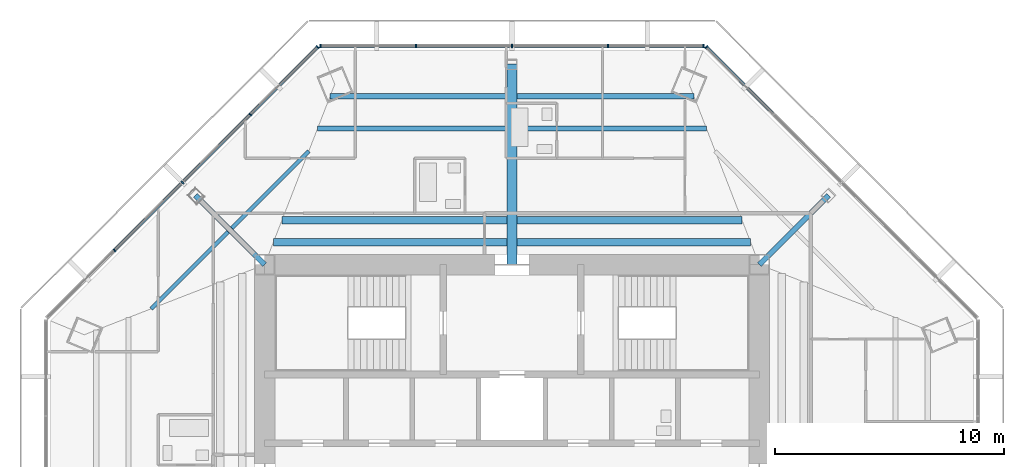
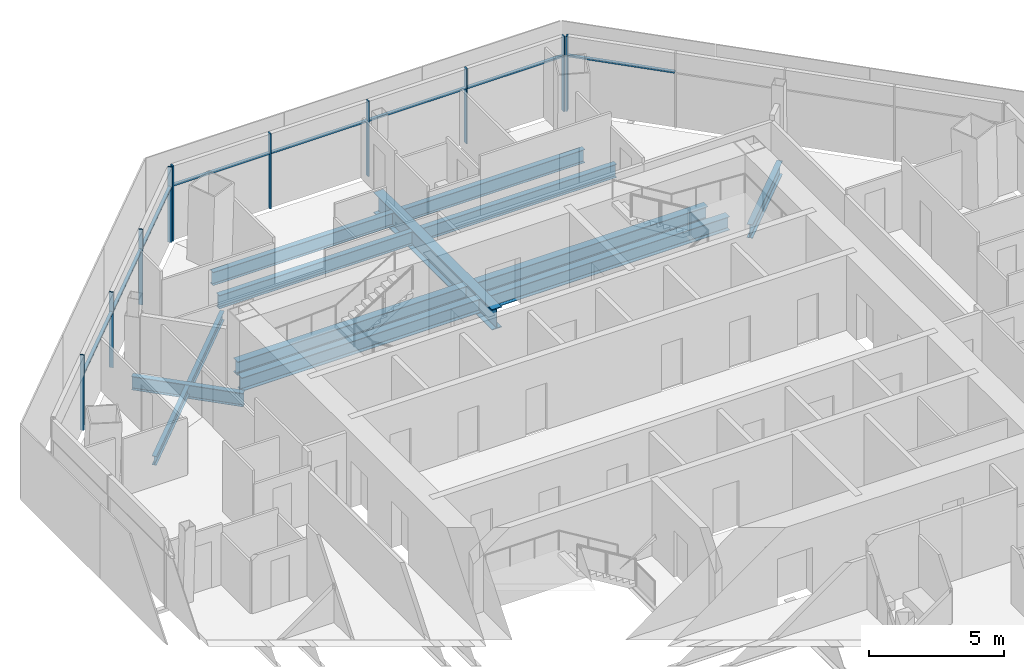
# One storey, part 6 of 15: 18 members, 13 beams, 3 elements without a shape of their own.
"""IFC4 building model written with IfcOpenShell, lengths in metres."""

from ifc_helpers import new_model, si_unit, direction, frame, origin, origin_2d, place, context, subcontext, project, spatial, rectangle, i_section, extrude, source, transform, mapped, material, material_profile, profile_set, type_object, type_shapes, element, aggregate, save


model = new_model("IFC4")

# Units and contexts
model_context = context("Model", 3, precision=1e-05, world=origin(), true_north=direction((0.0, 1.0)))
body_context = subcontext(model_context, "Body", "Model", "MODEL_VIEW")
ifc_project = project(units=[si_unit("LENGTHUNIT", "METRE"), si_unit("AREAUNIT", "SQUARE_METRE"), si_unit("VOLUMEUNIT", "CUBIC_METRE"), si_unit("PLANEANGLEUNIT", "RADIAN"), si_unit("MASSUNIT", "GRAM", prefix="KILO")], contexts=[model_context])

# Site, building, storey
site_placement = place(None, origin())
site = spatial("IfcSite", under=ifc_project, at=site_placement, CompositionType="ELEMENT")
building_placement = place(site_placement, origin())
building = spatial("IfcBuilding", under=site, at=building_placement, Name="Mashrafa Tower", CompositionType="ELEMENT")
storey_placement = place(building_placement, frame((0.0, 0.0, 270.800048828125)))
storey = spatial("IfcBuildingStorey", under=building, at=storey_placement, Name="L65", CompositionType="ELEMENT", Elevation=270.800048828125)

# Beams
ifc_material_1 = material(Name="Steel ASTM A992", Category="steel")
ifc_material_profile_1 = material_profile(ifc_material_1, i_section(OverallWidth=0.177734375, OverallDepth=0.406494140625, WebThickness=0.0078125, FlangeThickness=0.012939453125, FilletRadius=0.01025390625, at=origin_2d()), Name="W16X40")
ifc_profile_set_1 = profile_set([ifc_material_profile_1], Name="Steel ASTM A992")
beam_type_1 = type_object("IfcBeamType", Name="Beam W16X40", PredefinedType="BEAM", material=ifc_profile_set_1)
for number, where, z_axis, x_axis, name in (
    (1, (-15.75634765625, 8.87451171875, -0.4033203125), (0.7070810911, 0.70713247034, 0.0), (-0.70713247034, 0.7070810911, 0.0), "Floor beam L65 005"),
    (2, (-12.234619140625, 12.396484375, -0.4033203125), (0.70713247034, 0.7070810911, 0.0), (-0.7070810911, 0.70713247034, 0.0), "Floor beam L65 009"),
):
    element("IfcBeam", number, at=place(storey_placement, frame(where, z_axis=z_axis, x_axis=x_axis)), inside=storey, type_object=beam_type_1, Name=name, PredefinedType="BEAM", context=body_context, shape_type="SweptSolid", body=[
        extrude(i_section(OverallWidth=0.177734375, OverallDepth=0.406494140625, WebThickness=0.0078125, FlangeThickness=0.012939453125, FilletRadius=0.01025390625, at=origin_2d()), origin(), (0.0, 0.0, 1.0), 4.751708984375),
    ])
ifc_material_2 = material(Name="Steel ASTM A992", Category="steel")
ifc_material_profile_2 = material_profile(ifc_material_2, i_section(OverallWidth=0.3251953125, OverallDepth=0.612060546875, WebThickness=0.0126953125, FlangeThickness=0.01904296875, FilletRadius=0.0126953125, at=origin_2d()), Name="W24X104")
ifc_profile_set_2 = profile_set([ifc_material_profile_2], Name="Steel ASTM A992")
beam_type_2 = type_object("IfcBeamType", Name="Beam W24X104", PredefinedType="BEAM", material=ifc_profile_set_2)
beam_1_placement = place(storey_placement, frame((-10.423095703125, 11.7705078125, -0.506103515625), z_axis=(1.0, 0.0, 0.0), x_axis=(0.0, 1.0, 0.0)))
element("IfcBeam", 3, at=beam_1_placement, inside=storey, type_object=beam_type_2, Name="Floor beam L65 012", PredefinedType="BEAM", context=body_context, shape_type="SweptSolid", body=[
    extrude(i_section(OverallWidth=0.3251953125, OverallDepth=0.612060546875, WebThickness=0.0126953125, FlangeThickness=0.01904296875, FilletRadius=0.0126953125, at=origin_2d()), origin(), (0.0, 0.0, 1.0), 10.213623046875),
])
beam_2_placement = place(storey_placement, frame((-10.0458984375, 12.740966796875, -0.506103515625), z_axis=(1.0, 0.0, 0.0), x_axis=(0.0, 1.0, 0.0)))
element("IfcBeam", 4, at=beam_2_placement, inside=storey, type_object=beam_type_2, Name="Floor beam L65 013", PredefinedType="BEAM", context=body_context, shape_type="SweptSolid", body=[
    extrude(i_section(OverallWidth=0.3251953125, OverallDepth=0.612060546875, WebThickness=0.0126953125, FlangeThickness=0.01904296875, FilletRadius=0.0126953125, at=origin_2d()), origin(), (0.0, 0.0, 1.0), 9.83642578125),
])
beam_3_placement = place(storey_placement, frame((0.20947265625, 11.7705078125, -0.506103515625), z_axis=(1.0, 0.0, 0.0), x_axis=(0.0, 1.0, 0.0)))
element("IfcBeam", 5, at=beam_3_placement, inside=storey, type_object=beam_type_2, Name="Floor beam L65 021", PredefinedType="BEAM", context=body_context, shape_type="SweptSolid", body=[
    extrude(i_section(OverallWidth=0.3251953125, OverallDepth=0.612060546875, WebThickness=0.0126953125, FlangeThickness=0.01904296875, FilletRadius=0.0126953125, at=origin_2d()), origin(), (0.0, 0.0, 1.0), 10.213623046875),
])
beam_4_placement = place(storey_placement, frame((0.20947265625, 12.740966796875, -0.506103515625), z_axis=(1.0, 0.0, 0.0), x_axis=(0.0, 1.0, 0.0)))
element("IfcBeam", 6, at=beam_4_placement, inside=storey, type_object=beam_type_2, Name="Floor beam L65 022", PredefinedType="BEAM", context=body_context, shape_type="SweptSolid", body=[
    extrude(i_section(OverallWidth=0.3251953125, OverallDepth=0.612060546875, WebThickness=0.0126953125, FlangeThickness=0.01904296875, FilletRadius=0.0126953125, at=origin_2d()), origin(), (0.0, 0.0, 1.0), 9.83642578125),
])
ifc_material_3 = material(Name="Steel ASTM A992", Category="steel")
ifc_material_profile_3 = material_profile(ifc_material_3, i_section(OverallWidth=0.227783203125, OverallDepth=0.60205078125, WebThickness=0.010498046875, FlangeThickness=0.014892578125, FilletRadius=0.012939453125, at=origin_2d()), Name="W24X68")
ifc_profile_set_3 = profile_set([ifc_material_profile_3], Name="Steel ASTM A992")
beam_type_3 = type_object("IfcBeamType", Name="Beam W24X68", PredefinedType="BEAM", material=ifc_profile_set_3)
beam_5_placement = place(storey_placement, frame((-8.4921875, 16.740966796875, -0.5009765625), z_axis=(1.0, 0.0, 0.0), x_axis=(0.0, 1.0, 0.0)))
element("IfcBeam", 7, at=beam_5_placement, inside=storey, type_object=beam_type_3, Name="Floor beam L65 015", PredefinedType="BEAM", context=body_context, shape_type="SweptSolid", body=[
    extrude(i_section(OverallWidth=0.227783203125, OverallDepth=0.60205078125, WebThickness=0.010498046875, FlangeThickness=0.014892578125, FilletRadius=0.012939453125, at=origin_2d()), origin(), (0.0, 0.0, 1.0), 8.28271484375),
])
beam_6_placement = place(storey_placement, frame((-7.944580078125, 18.150390625, -0.5009765625), z_axis=(1.0, 0.0, 0.0), x_axis=(0.0, 1.0, 0.0)))
element("IfcBeam", 8, at=beam_6_placement, inside=storey, type_object=beam_type_3, Name="Floor beam L65 016", PredefinedType="BEAM", context=body_context, shape_type="SweptSolid", body=[
    extrude(i_section(OverallWidth=0.227783203125, OverallDepth=0.60205078125, WebThickness=0.010498046875, FlangeThickness=0.014892578125, FilletRadius=0.012939453125, at=origin_2d()), origin(), (0.0, 0.0, 1.0), 7.735107421875),
])
beam_7_placement = place(storey_placement, frame((0.20947265625, 16.740966796875, -0.5009765625), z_axis=(1.0, 0.0, 0.0), x_axis=(0.0, 1.0, 0.0)))
element("IfcBeam", 9, at=beam_7_placement, inside=storey, type_object=beam_type_3, Name="Floor beam L65 023", PredefinedType="BEAM", context=body_context, shape_type="SweptSolid", body=[
    extrude(i_section(OverallWidth=0.227783203125, OverallDepth=0.60205078125, WebThickness=0.010498046875, FlangeThickness=0.014892578125, FilletRadius=0.012939453125, at=origin_2d()), origin(), (0.0, 0.0, 1.0), 8.28271484375),
])
beam_8_placement = place(storey_placement, frame((0.20947265625, 18.150390625, -0.5009765625), z_axis=(1.0, 0.0, 0.0), x_axis=(0.0, 1.0, 0.0)))
element("IfcBeam", 10, at=beam_8_placement, inside=storey, type_object=beam_type_3, Name="Floor beam L65 024", PredefinedType="BEAM", context=body_context, shape_type="SweptSolid", body=[
    extrude(i_section(OverallWidth=0.227783203125, OverallDepth=0.60205078125, WebThickness=0.010498046875, FlangeThickness=0.014892578125, FilletRadius=0.012939453125, at=origin_2d()), origin(), (0.0, 0.0, 1.0), 7.735107421875),
])
ifc_material_4 = material(Name="Steel ASTM A992", Category="steel")
ifc_material_profile_4 = material_profile(ifc_material_4, i_section(OverallWidth=0.22900390625, OverallDepth=0.612060546875, WebThickness=0.011962890625, FlangeThickness=0.01953125, FilletRadius=0.0126953125, at=origin_2d()), Name="W24X84")
ifc_profile_set_4 = profile_set([ifc_material_profile_4], Name="Steel ASTM A992")
beam_type_4 = type_object("IfcBeamType", Name="Beam W24X84", PredefinedType="BEAM", material=ifc_profile_set_4)
for number, where, z_axis, x_axis, name in (
    (11, (-10.800048828125, 10.800048828125, -0.506103515625), (-0.707106781187, 0.707106781187, 0.0), (-0.707106781187, -0.707106781187, 0.0), "Radial girder L65 043"),
    (12, (10.800048828125, 10.800048828125, -0.506103515625), (0.707106781187, 0.707106781187, 0.0), (-0.707106781187, 0.707106781187, 0.0), "Radial girder L65 048"),
):
    element("IfcBeam", number, at=place(storey_placement, frame(where, z_axis=z_axis, x_axis=x_axis)), inside=storey, type_object=beam_type_4, Name=name, PredefinedType="BEAM", context=body_context, shape_type="SweptSolid", body=[
        extrude(i_section(OverallWidth=0.22900390625, OverallDepth=0.612060546875, WebThickness=0.011962890625, FlangeThickness=0.01953125, FilletRadius=0.0126953125, at=origin_2d()), origin(), (0.0, 0.0, 1.0), 4.2861328125),
    ])
ifc_material_5 = material(Name="Steel ASTM A992", Category="steel")
ifc_material_profile_5 = material_profile(ifc_material_5, i_section(OverallWidth=0.419189453125, OverallDepth=0.927001953125, WebThickness=0.019287109375, FlangeThickness=0.031982421875, FilletRadius=0.020263671875, at=origin_2d()), Name="W36X231")
ifc_profile_set_5 = profile_set([ifc_material_profile_5], Name="Steel ASTM A992")
beam_type_5 = type_object("IfcBeamType", Name="Beam W36X231", PredefinedType="BEAM", material=ifc_profile_set_5)
beam_9_placement = place(storey_placement, frame((0.0, 10.800048828125, -0.66357421875), z_axis=(0.0, 1.0, 0.0), x_axis=(-1.0, 0.0, 0.0)))
element("IfcBeam", 13, at=beam_9_placement, inside=storey, type_object=beam_type_5, Name="Radial girder L65 045", PredefinedType="BEAM", context=body_context, shape_type="SweptSolid", body=[
    extrude(i_section(OverallWidth=0.419189453125, OverallDepth=0.927001953125, WebThickness=0.019287109375, FlangeThickness=0.031982421875, FilletRadius=0.020263671875, at=origin_2d()), origin(), (0.0, 0.0, 1.0), 8.759765625),
])

# Curtain wall, member
ifc_material_6 = material(Name="Unitised aluminium curtain wall", Category="aluminium")
curtain_wall_type = type_object("IfcCurtainWallType", Name="Apartment curtain wall, zone 4 CW-D 160 deep", PredefinedType="NOTDEFINED", material=ifc_material_6)
curtain_wall_1_placement = place(storey_placement, origin())
curtain_wall_1 = element("IfcCurtainWall", 14, at=curtain_wall_1_placement, inside=storey, type_object=curtain_wall_type, Name="Apartment curtain wall, zone 4 L65 north-east", PredefinedType="NOTDEFINED")
ifc_material_7 = material(Name="Extruded aluminium mullion", Category="aluminium")
ifc_material_profile_6 = material_profile(ifc_material_7, rectangle(XDim=0.159912109375, YDim=0.06005859375, at=origin_2d()), Name="Mullion 60x160")
ifc_profile_set_6 = profile_set([ifc_material_profile_6], Name="Extruded aluminium mullion")
member_type_1 = type_object("IfcMemberType", Name="Mullion CW-D 60 x 160", PredefinedType="MULLION", material=ifc_profile_set_6)
shared_shape_1 = source(origin(), body_context, "Body", "SweptSolid", [
    extrude(rectangle(XDim=0.159912109375, YDim=0.06005859375, at=origin_2d()), origin(), (0.0, 0.0, 1.0), 3.39990234375),
])
type_shapes(member_type_1, [shared_shape_1])
member_1_placement = place(storey_placement, frame((8.482666015625, 20.302490234375, 0.0), z_axis=(0.0, 0.0, 1.0), x_axis=(-0.707106781187, -0.707106781187, 0.0)))
member_1 = element("IfcMember", 15, at=member_1_placement, type_object=member_type_1, Name="CW-D mullion 5", PredefinedType="MULLION", context=body_context, shape_type="MappedRepresentation", body=[
    mapped(shared_shape_1, transform((0.0, 0.0, 0.0))),
])

# Curtain wall, members
curtain_wall_2_placement = place(storey_placement, origin())
curtain_wall_2 = element("IfcCurtainWall", 16, at=curtain_wall_2_placement, inside=storey, type_object=curtain_wall_type, Name="Apartment curtain wall, zone 4 L65 north", PredefinedType="NOTDEFINED")
member_2_placement = place(storey_placement, frame((8.35791015625, 20.354248046875, 0.0), z_axis=(0.0, 0.0, 1.0), x_axis=(0.0, -1.0, 0.0)))
member_2 = element("IfcMember", 17, at=member_2_placement, type_object=member_type_1, Name="CW-D mullion 1", PredefinedType="MULLION", context=body_context, shape_type="MappedRepresentation", body=[
    mapped(shared_shape_1, transform((0.0, 0.0, 0.0))),
])
member_3_placement = place(storey_placement, frame((4.19384765625, 20.354248046875, 0.0), z_axis=(0.0, 0.0, 1.0), x_axis=(0.0, -1.0, 0.0)))
member_3 = element("IfcMember", 18, at=member_3_placement, type_object=member_type_1, Name="CW-D mullion 2", PredefinedType="MULLION", context=body_context, shape_type="MappedRepresentation", body=[
    mapped(shared_shape_1, transform((0.0, 0.0, 0.0))),
])
member_4_placement = place(storey_placement, frame((0.0, 20.354248046875, 0.0), z_axis=(0.0, 0.0, 1.0), x_axis=(0.0, -1.0, 0.0)))
member_4 = element("IfcMember", 19, at=member_4_placement, type_object=member_type_1, Name="CW-D mullion 3", PredefinedType="MULLION", context=body_context, shape_type="MappedRepresentation", body=[
    mapped(shared_shape_1, transform((0.0, 0.0, 0.0))),
])
member_5_placement = place(storey_placement, frame((-4.19384765625, 20.354248046875, 0.0), z_axis=(0.0, 0.0, 1.0), x_axis=(0.0, -1.0, 0.0)))
member_5 = element("IfcMember", 20, at=member_5_placement, type_object=member_type_1, Name="CW-D mullion 4", PredefinedType="MULLION", context=body_context, shape_type="MappedRepresentation", body=[
    mapped(shared_shape_1, transform((0.0, 0.0, 0.0))),
])
member_6_placement = place(storey_placement, frame((-8.35791015625, 20.354248046875, 0.0), z_axis=(0.0, 0.0, 1.0), x_axis=(0.0, -1.0, 0.0)))
member_6 = element("IfcMember", 21, at=member_6_placement, type_object=member_type_1, Name="CW-D mullion 5", PredefinedType="MULLION", context=body_context, shape_type="MappedRepresentation", body=[
    mapped(shared_shape_1, transform((0.0, 0.0, 0.0))),
])

curtain_wall_3_placement = place(storey_placement, origin())
curtain_wall_3 = element("IfcCurtainWall", 22, at=curtain_wall_3_placement, inside=storey, type_object=curtain_wall_type, Name="Apartment curtain wall, zone 4 L65 north-west", PredefinedType="NOTDEFINED")
member_7_placement = place(storey_placement, frame((-8.482666015625, 20.302490234375, 0.0), z_axis=(0.0, 0.0, 1.0), x_axis=(0.707106781187, -0.707106781187, 0.0)))
member_7 = element("IfcMember", 23, at=member_7_placement, type_object=member_type_1, Name="CW-D mullion 1", PredefinedType="MULLION", context=body_context, shape_type="MappedRepresentation", body=[
    mapped(shared_shape_1, transform((0.0, 0.0, 0.0))),
])
member_8_placement = place(storey_placement, frame((-11.427001953125, 17.358154296875, 0.0), z_axis=(0.0, 0.0, 1.0), x_axis=(0.707106781187, -0.707106781187, 0.0)))
member_8 = element("IfcMember", 24, at=member_8_placement, type_object=member_type_1, Name="CW-D mullion 2", PredefinedType="MULLION", context=body_context, shape_type="MappedRepresentation", body=[
    mapped(shared_shape_1, transform((0.0, 0.0, 0.0))),
])
member_9_placement = place(storey_placement, frame((-14.392578125, 14.392578125, 0.0), z_axis=(0.0, 0.0, 1.0), x_axis=(0.707106781187, -0.707106781187, 0.0)))
member_9 = element("IfcMember", 25, at=member_9_placement, type_object=member_type_1, Name="CW-D mullion 3", PredefinedType="MULLION", context=body_context, shape_type="MappedRepresentation", body=[
    mapped(shared_shape_1, transform((0.0, 0.0, 0.0))),
])
member_10_placement = place(storey_placement, frame((-17.358154296875, 11.427001953125, 0.0), z_axis=(0.0, 0.0, 1.0), x_axis=(0.707106781187, -0.707106781187, 0.0)))
member_10 = element("IfcMember", 26, at=member_10_placement, type_object=member_type_1, Name="CW-D mullion 4", PredefinedType="MULLION", context=body_context, shape_type="MappedRepresentation", body=[
    mapped(shared_shape_1, transform((0.0, 0.0, 0.0))),
])

# Member
ifc_material_8 = material(Name="Extruded aluminium transom", Category="aluminium")
ifc_material_profile_7 = material_profile(ifc_material_8, rectangle(XDim=0.1279296875, YDim=0.074951171875, at=origin_2d()), Name="Transom 75x128")
ifc_profile_set_7 = profile_set([ifc_material_profile_7], Name="Extruded aluminium transom")
member_type_2 = type_object("IfcMemberType", Name="Transom CW-D 75 x 128", PredefinedType="MULLION", material=ifc_profile_set_7)
shared_shape_2 = source(origin(), body_context, "Body", "SweptSolid", [
    extrude(rectangle(XDim=0.1279296875, YDim=0.074951171875, at=origin_2d()), origin(), (0.0, 0.0, 1.0), 4.10400390625),
])
member_11_placement = place(storey_placement, frame((8.327880859375, 20.354248046875, 2.5), z_axis=(-1.0, 0.0, 0.0), x_axis=(0.0, -1.0, 0.0)))
member_11 = element("IfcMember", 27, at=member_11_placement, type_object=member_type_2, Name="CW-D transom 1", PredefinedType="MULLION", context=body_context, shape_type="MappedRepresentation", body=[
    mapped(shared_shape_2, transform((0.0, 0.0, 0.0))),
])

member_12_placement = place(storey_placement, frame((-4.223876953125, 20.354248046875, 2.5), z_axis=(-1.0, 0.0, 0.0), x_axis=(0.0, -1.0, 0.0)))
member_12 = element("IfcMember", 28, at=member_12_placement, type_object=member_type_2, Name="CW-D transom 4", PredefinedType="MULLION", context=body_context, shape_type="MappedRepresentation", body=[
    mapped(shared_shape_2, transform((0.0, 0.0, 0.0))),
])

shared_shape_3 = source(origin(), body_context, "Body", "SweptSolid", [
    extrude(rectangle(XDim=0.1279296875, YDim=0.074951171875, at=origin_2d()), origin(), (0.0, 0.0, 1.0), 4.1337890625),
])
member_13_placement = place(storey_placement, frame((4.163818359375, 20.354248046875, 2.5), z_axis=(-1.0, 0.0, 0.0), x_axis=(0.0, -1.0, 0.0)))
member_13 = element("IfcMember", 29, at=member_13_placement, type_object=member_type_2, Name="CW-D transom 2", PredefinedType="MULLION", context=body_context, shape_type="MappedRepresentation", body=[
    mapped(shared_shape_3, transform((0.0, 0.0, 0.0))),
])

member_14_placement = place(storey_placement, frame((-0.030029296875, 20.354248046875, 2.5), z_axis=(-1.0, 0.0, 0.0), x_axis=(0.0, -1.0, 0.0)))
member_14 = element("IfcMember", 30, at=member_14_placement, type_object=member_type_2, Name="CW-D transom 3", PredefinedType="MULLION", context=body_context, shape_type="MappedRepresentation", body=[
    mapped(shared_shape_3, transform((0.0, 0.0, 0.0))),
])

aggregate(curtain_wall_2, [member_2, member_3, member_4, member_5, member_6, member_11, member_13, member_14, member_12])

member_15_placement = place(storey_placement, frame((-11.4482421875, 17.3369140625, 2.5), z_axis=(-0.707106781187, -0.707106781187, 0.0), x_axis=(0.707106781187, -0.707106781187, 0.0)))
member_15 = element("IfcMember", 31, at=member_15_placement, type_object=member_type_2, Name="CW-D transom 2", PredefinedType="MULLION", context=body_context, shape_type="MappedRepresentation", body=[
    mapped(shared_shape_3, transform((0.0, 0.0, 0.0))),
])

member_16_placement = place(storey_placement, frame((-14.413818359375, 14.371337890625, 2.5), z_axis=(-0.707106781187, -0.707106781187, 0.0), x_axis=(0.707106781187, -0.707106781187, 0.0)))
member_16 = element("IfcMember", 32, at=member_16_placement, type_object=member_type_2, Name="CW-D transom 3", PredefinedType="MULLION", context=body_context, shape_type="MappedRepresentation", body=[
    mapped(shared_shape_3, transform((0.0, 0.0, 0.0))),
])

shared_shape_4 = source(origin(), body_context, "Body", "SweptSolid", [
    extrude(rectangle(XDim=0.1279296875, YDim=0.074951171875, at=origin_2d()), origin(), (0.0, 0.0, 1.0), 4.103759765625),
])
type_shapes(member_type_2, [shared_shape_2, shared_shape_3, shared_shape_4])
member_17_placement = place(storey_placement, frame((11.40576171875, 17.37939453125, 2.5), z_axis=(-0.707106781187, 0.707106781187, 0.0), x_axis=(-0.707106781187, -0.707106781187, 0.0)))
member_17 = element("IfcMember", 33, at=member_17_placement, type_object=member_type_2, Name="CW-D transom 4", PredefinedType="MULLION", context=body_context, shape_type="MappedRepresentation", body=[
    mapped(shared_shape_4, transform((0.0, 0.0, 0.0))),
])

aggregate(curtain_wall_1, [member_1, member_17])

member_18_placement = place(storey_placement, frame((-8.50390625, 20.28125, 2.5), z_axis=(-0.707106781187, -0.707106781187, 0.0), x_axis=(0.707106781187, -0.707106781187, 0.0)))
member_18 = element("IfcMember", 34, at=member_18_placement, type_object=member_type_2, Name="CW-D transom 1", PredefinedType="MULLION", context=body_context, shape_type="MappedRepresentation", body=[
    mapped(shared_shape_4, transform((0.0, 0.0, 0.0))),
])

aggregate(curtain_wall_3, [member_7, member_8, member_9, member_10, member_18, member_15, member_16])

save(model, "model.ifc")
